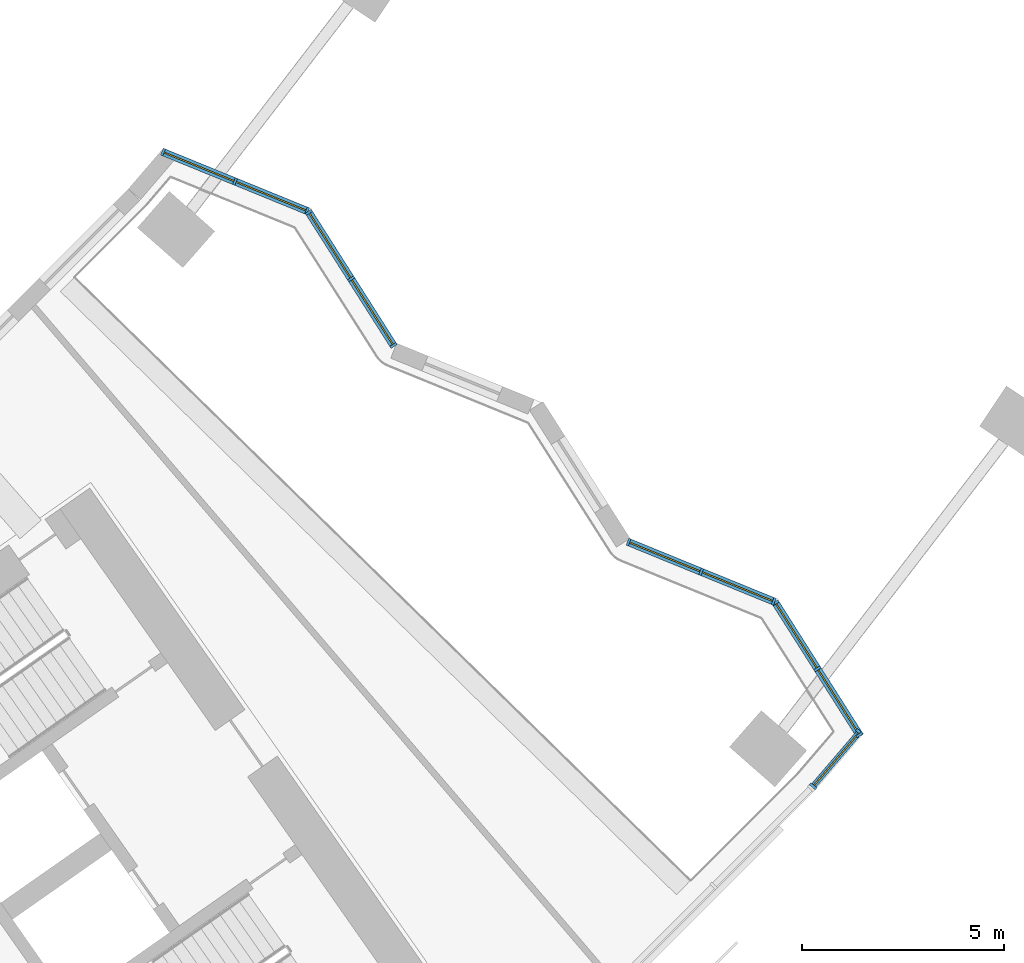
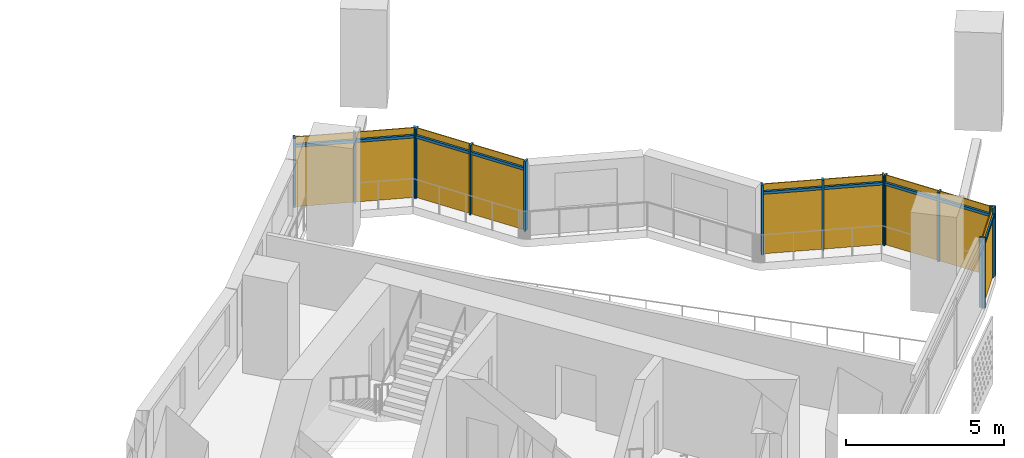
# One storey, part 23 of 30: 23 members, 5 curtain walls.
"""IFC4 building model written with IfcOpenShell, lengths in metres."""

from ifc_helpers import new_model, si_unit, direction, frame, origin, origin_2d, place, context, subcontext, project, spatial, rectangle, extrude, material, material_profile, profile_set, type_object, element, aggregate, save


model = new_model("IFC4")

# Units and contexts
model_context = context("Model", 3, precision=1e-05, world=origin(), true_north=direction((0.0, 1.0)))
body_context = subcontext(model_context, "Body", "Model", "MODEL_VIEW")
ifc_project = project(units=[si_unit("LENGTHUNIT", "METRE"), si_unit("AREAUNIT", "SQUARE_METRE"), si_unit("VOLUMEUNIT", "CUBIC_METRE"), si_unit("PLANEANGLEUNIT", "RADIAN"), si_unit("MASSUNIT", "GRAM", prefix="KILO")], contexts=[model_context])

# Member
ifc_material = material(Name="Aluminium 6063-T6 anodised", Category="aluminium")
ifc_material_profile_1 = material_profile(ifc_material, rectangle(XDim=0.179931640625, YDim=0.06005859375, at=origin_2d()))
ifc_profile_set_1 = profile_set([ifc_material_profile_1], Name="Aluminium 6063-T6 anodised")
member_type_1 = type_object("IfcMemberType", Name="Mullion 60 x 180 aluminium, garden", PredefinedType="MULLION", material=ifc_profile_set_1)
site_placement = place(None, origin())
building_placement = place(site_placement, origin())
storey_placement = place(building_placement, frame((0.0, 0.0, 98.699951171875)))
member_1_placement = place(storey_placement, frame((60.71484375, -50.92041015625, 0.0), z_axis=(0.0, 0.0, 1.0), x_axis=(-0.843879922173, -0.536532083806, 0.0)))
member_1 = element("IfcMember", 1, at=member_1_placement, type_object=member_type_1, Name="e-cw4-L21-capE0/M00", PredefinedType="MULLION", context=body_context, shape_type="SweptSolid", body=[
    extrude(rectangle(XDim=0.179931640625, YDim=0.06005859375, at=origin_2d()), origin(), (0.0, 0.0, 1.0), 2.699951171875),
])

member_2_placement = place(storey_placement, frame((59.676513671875, -49.287353515625, 0.0), z_axis=(0.0, 0.0, 1.0), x_axis=(-0.843879922173, -0.536532083806, 0.0)))
member_2 = element("IfcMember", 2, at=member_2_placement, type_object=member_type_1, Name="e-cw4-L21-capE0/M01", PredefinedType="MULLION", context=body_context, shape_type="SweptSolid", body=[
    extrude(rectangle(XDim=0.179931640625, YDim=0.06005859375, at=origin_2d()), origin(), (0.0, 0.0, 1.0), 2.699951171875),
])

member_3_placement = place(storey_placement, frame((58.63818359375, -47.654296875, 0.0), z_axis=(0.0, 0.0, 1.0), x_axis=(-0.843879922173, -0.536532083806, 0.0)))
member_3 = element("IfcMember", 3, at=member_3_placement, type_object=member_type_1, Name="e-cw4-L21-capE0/M02", PredefinedType="MULLION", context=body_context, shape_type="SweptSolid", body=[
    extrude(rectangle(XDim=0.179931640625, YDim=0.06005859375, at=origin_2d()), origin(), (0.0, 0.0, 1.0), 2.699951171875),
])

member_4_placement = place(storey_placement, frame((58.59423828125, -47.617431640625, 0.0), z_axis=(0.0, 0.0, 1.0), x_axis=(-0.378022209382, -0.925796526897, 0.0)))
member_4 = element("IfcMember", 4, at=member_4_placement, type_object=member_type_1, Name="e-cw4-L21-capE1/M00", PredefinedType="MULLION", context=body_context, shape_type="SweptSolid", body=[
    extrude(rectangle(XDim=0.179931640625, YDim=0.06005859375, at=origin_2d()), origin(), (0.0, 0.0, 1.0), 2.699951171875),
])

member_5_placement = place(storey_placement, frame((56.79638671875, -46.88330078125, 0.0), z_axis=(0.0, 0.0, 1.0), x_axis=(-0.378022209382, -0.925796526897, 0.0)))
member_5 = element("IfcMember", 5, at=member_5_placement, type_object=member_type_1, Name="e-cw4-L21-capE1/M01", PredefinedType="MULLION", context=body_context, shape_type="SweptSolid", body=[
    extrude(rectangle(XDim=0.179931640625, YDim=0.06005859375, at=origin_2d()), origin(), (0.0, 0.0, 1.0), 2.699951171875),
])

member_6_placement = place(storey_placement, frame((54.998291015625, -46.149169921875, 0.0), z_axis=(0.0, 0.0, 1.0), x_axis=(-0.378022209382, -0.925796526897, 0.0)))
member_6 = element("IfcMember", 6, at=member_6_placement, type_object=member_type_1, Name="e-cw4-L21-capE1/M02", PredefinedType="MULLION", context=body_context, shape_type="SweptSolid", body=[
    extrude(rectangle(XDim=0.179931640625, YDim=0.06005859375, at=origin_2d()), origin(), (0.0, 0.0, 1.0), 2.699951171875),
])

member_7_placement = place(storey_placement, frame((49.17724609375, -41.278076171875, 0.0), z_axis=(0.0, 0.0, 1.0), x_axis=(-0.843778920039, -0.536690911138, 0.0)))
member_7 = element("IfcMember", 7, at=member_7_placement, type_object=member_type_1, Name="e-cw4-L21-capE4/M00", PredefinedType="MULLION", context=body_context, shape_type="SweptSolid", body=[
    extrude(rectangle(XDim=0.179931640625, YDim=0.06005859375, at=origin_2d()), origin(), (0.0, 0.0, 1.0), 2.699951171875),
])

member_8_placement = place(storey_placement, frame((48.12939453125, -39.630615234375, 0.0), z_axis=(0.0, 0.0, 1.0), x_axis=(-0.843778920039, -0.536690911138, 0.0)))
member_8 = element("IfcMember", 8, at=member_8_placement, type_object=member_type_1, Name="e-cw4-L21-capE4/M01", PredefinedType="MULLION", context=body_context, shape_type="SweptSolid", body=[
    extrude(rectangle(XDim=0.179931640625, YDim=0.06005859375, at=origin_2d()), origin(), (0.0, 0.0, 1.0), 2.699951171875),
])

member_9_placement = place(storey_placement, frame((47.081787109375, -37.9833984375, 0.0), z_axis=(0.0, 0.0, 1.0), x_axis=(-0.843778920039, -0.536690911138, 0.0)))
member_9 = element("IfcMember", 9, at=member_9_placement, type_object=member_type_1, Name="e-cw4-L21-capE4/M02", PredefinedType="MULLION", context=body_context, shape_type="SweptSolid", body=[
    extrude(rectangle(XDim=0.179931640625, YDim=0.06005859375, at=origin_2d()), origin(), (0.0, 0.0, 1.0), 2.699951171875),
])

member_10_placement = place(storey_placement, frame((47.037841796875, -37.94677734375, 0.0), z_axis=(0.0, 0.0, 1.0), x_axis=(-0.377858828527, -0.92586322192, 0.0)))
member_10 = element("IfcMember", 10, at=member_10_placement, type_object=member_type_1, Name="e-cw4-L21-capE5/M00", PredefinedType="MULLION", context=body_context, shape_type="SweptSolid", body=[
    extrude(rectangle(XDim=0.179931640625, YDim=0.06005859375, at=origin_2d()), origin(), (0.0, 0.0, 1.0), 2.699951171875),
])

member_11_placement = place(storey_placement, frame((45.255615234375, -37.219482421875, 0.0), z_axis=(0.0, 0.0, 1.0), x_axis=(-0.377858828527, -0.92586322192, 0.0)))
member_11 = element("IfcMember", 11, at=member_11_placement, type_object=member_type_1, Name="e-cw4-L21-capE5/M01", PredefinedType="MULLION", context=body_context, shape_type="SweptSolid", body=[
    extrude(rectangle(XDim=0.179931640625, YDim=0.06005859375, at=origin_2d()), origin(), (0.0, 0.0, 1.0), 2.699951171875),
])

member_12_placement = place(storey_placement, frame((43.47314453125, -36.491943359375, 0.0), z_axis=(0.0, 0.0, 1.0), x_axis=(-0.377858828527, -0.92586322192, 0.0)))
member_12 = element("IfcMember", 12, at=member_12_placement, type_object=member_type_1, Name="e-cw4-L21-capE5/M02", PredefinedType="MULLION", context=body_context, shape_type="SweptSolid", body=[
    extrude(rectangle(XDim=0.179931640625, YDim=0.06005859375, at=origin_2d()), origin(), (0.0, 0.0, 1.0), 2.699951171875),
])

ifc_material_profile_2 = material_profile(ifc_material, rectangle(XDim=0.199951171875, YDim=0.070068359375, at=origin_2d()))
ifc_profile_set_2 = profile_set([ifc_material_profile_2], Name="Aluminium 6063-T6 anodised")
member_type_2 = type_object("IfcMemberType", Name="Mullion 70 x 200 aluminium", PredefinedType="MULLION", material=ifc_profile_set_2)
member_13_placement = place(storey_placement, frame((59.567626953125, -52.194580078125, 0.0), z_axis=(0.0, 0.0, 1.0), x_axis=(-0.759421145239, 0.650599357642, 0.0)))
member_13 = element("IfcMember", 13, at=member_13_placement, type_object=member_type_2, Name="e-cw1-L21-out16/M00", PredefinedType="MULLION", context=body_context, shape_type="SweptSolid", body=[
    extrude(rectangle(XDim=0.199951171875, YDim=0.070068359375, at=origin_2d()), origin(), (0.0, 0.0, 1.0), 2.699951171875),
])

member_14_placement = place(storey_placement, frame((60.716552734375, -50.853515625, 0.0), z_axis=(0.0, 0.0, 1.0), x_axis=(-0.759421145239, 0.650599357642, 0.0)))
member_14 = element("IfcMember", 14, at=member_14_placement, type_object=member_type_2, Name="e-cw1-L21-out16/M01", PredefinedType="MULLION", context=body_context, shape_type="SweptSolid", body=[
    extrude(rectangle(XDim=0.199951171875, YDim=0.070068359375, at=origin_2d()), origin(), (0.0, 0.0, 1.0), 2.699951171875),
])

ifc_material_profile_3 = material_profile(ifc_material, rectangle(XDim=0.179931640625, YDim=0.10009765625, at=origin_2d()))
ifc_profile_set_3 = profile_set([ifc_material_profile_3], Name="Aluminium 6063-T6 anodised")
member_type_3 = type_object("IfcMemberType", Name="Transom 100 x 180 aluminium, garden", PredefinedType="USERDEFINED", material=ifc_profile_set_3)
member_15_placement = place(storey_placement, frame((60.69873046875, -50.89501953125, 2.400146484375), z_axis=(-0.53651320803, 0.843891922944, 0.0), x_axis=(-0.843891922944, -0.53651320803, 0.0)))
member_15 = element("IfcMember", 15, at=member_15_placement, type_object=member_type_3, Name="e-cw4-L21-capE0/T00", ObjectType="TRANSOM", PredefinedType="USERDEFINED", context=body_context, shape_type="SweptSolid", body=[
    extrude(rectangle(XDim=0.179931640625, YDim=0.10009765625, at=origin_2d()), origin(), (0.0, 0.0, 1.0), 1.875244140625),
])

member_16_placement = place(storey_placement, frame((59.660400390625, -49.261962890625, 2.400146484375), z_axis=(-0.53651320803, 0.843891922944, 0.0), x_axis=(-0.843891922944, -0.53651320803, 0.0)))
member_16 = element("IfcMember", 16, at=member_16_placement, type_object=member_type_3, Name="e-cw4-L21-capE0/T01", ObjectType="TRANSOM", PredefinedType="USERDEFINED", context=body_context, shape_type="SweptSolid", body=[
    extrude(rectangle(XDim=0.179931640625, YDim=0.10009765625, at=origin_2d()), origin(), (0.0, 0.0, 1.0), 1.875244140625),
])

member_17_placement = place(storey_placement, frame((58.56640625, -47.606201171875, 2.400146484375), z_axis=(-0.925786492791, 0.37804678251, 0.0), x_axis=(-0.37804678251, -0.925786492791, 0.0)))
member_17 = element("IfcMember", 17, at=member_17_placement, type_object=member_type_3, Name="e-cw4-L21-capE1/T00", ObjectType="TRANSOM", PredefinedType="USERDEFINED", context=body_context, shape_type="SweptSolid", body=[
    extrude(rectangle(XDim=0.179931640625, YDim=0.10009765625, at=origin_2d()), origin(), (0.0, 0.0, 1.0), 1.8818359375),
])

member_18_placement = place(storey_placement, frame((56.7685546875, -46.8720703125, 2.400146484375), z_axis=(-0.925805031046, 0.378001381598, 0.0), x_axis=(-0.378001381598, -0.925805031046, 0.0)))
member_18 = element("IfcMember", 18, at=member_18_placement, type_object=member_type_3, Name="e-cw4-L21-capE1/T01", ObjectType="TRANSOM", PredefinedType="USERDEFINED", context=body_context, shape_type="SweptSolid", body=[
    extrude(rectangle(XDim=0.179931640625, YDim=0.10009765625, at=origin_2d()), origin(), (0.0, 0.0, 1.0), 1.882080078125),
])

member_19_placement = place(storey_placement, frame((49.1611328125, -41.252685546875, 2.400146484375), z_axis=(-0.536708519188, 0.843767720069, 0.0), x_axis=(-0.843767720069, -0.536708519188, 0.0)))
member_19 = element("IfcMember", 19, at=member_19_placement, type_object=member_type_3, Name="e-cw4-L21-capE4/T00", ObjectType="TRANSOM", PredefinedType="USERDEFINED", context=body_context, shape_type="SweptSolid", body=[
    extrude(rectangle(XDim=0.179931640625, YDim=0.10009765625, at=origin_2d()), origin(), (0.0, 0.0, 1.0), 1.892333984375),
])

member_20_placement = place(storey_placement, frame((48.11328125, -39.60546875, 2.400146484375), z_axis=(-0.536616657149, 0.843826145169, 0.0), x_axis=(-0.843826145169, -0.536616657149, 0.0)))
member_20 = element("IfcMember", 20, at=member_20_placement, type_object=member_type_3, Name="e-cw4-L21-capE4/T01", ObjectType="TRANSOM", PredefinedType="USERDEFINED", context=body_context, shape_type="SweptSolid", body=[
    extrude(rectangle(XDim=0.179931640625, YDim=0.10009765625, at=origin_2d()), origin(), (0.0, 0.0, 1.0), 1.89208984375),
])

member_21_placement = place(storey_placement, frame((47.010009765625, -37.935546875, 2.400146484375), z_axis=(-0.925844839704, 0.377903867132, 0.0), x_axis=(-0.377903867132, -0.925844839704, 0.0)))
member_21 = element("IfcMember", 21, at=member_21_placement, type_object=member_type_3, Name="e-cw4-L21-capE5/T00", ObjectType="TRANSOM", PredefinedType="USERDEFINED", context=body_context, shape_type="SweptSolid", body=[
    extrude(rectangle(XDim=0.179931640625, YDim=0.10009765625, at=origin_2d()), origin(), (0.0, 0.0, 1.0), 1.865234375),
])

member_22_placement = place(storey_placement, frame((45.227783203125, -37.2080078125, 2.400146484375), z_axis=(-0.92589063397, 0.377791654126, 0.0), x_axis=(-0.377791654126, -0.92589063397, 0.0)))
member_22 = element("IfcMember", 22, at=member_22_placement, type_object=member_type_3, Name="e-cw4-L21-capE5/T01", ObjectType="TRANSOM", PredefinedType="USERDEFINED", context=body_context, shape_type="SweptSolid", body=[
    extrude(rectangle(XDim=0.179931640625, YDim=0.10009765625, at=origin_2d()), origin(), (0.0, 0.0, 1.0), 1.864990234375),
])

ifc_material_profile_4 = material_profile(ifc_material, rectangle(XDim=0.139892578125, YDim=0.1201171875, at=origin_2d()))
ifc_profile_set_4 = profile_set([ifc_material_profile_4], Name="Aluminium 6063-T6 anodised")
member_type_4 = type_object("IfcMemberType", Name="Transom 120 x 140 aluminium", PredefinedType="USERDEFINED", material=ifc_profile_set_4)
member_23_placement = place(storey_placement, frame((59.590576171875, -52.16796875, 2.400146484375), z_axis=(0.65058979582, 0.759429336789, 0.0), x_axis=(-0.759429336789, 0.65058979582, 0.0)))
member_23 = element("IfcMember", 23, at=member_23_placement, type_object=member_type_4, Name="e-cw1-L21-out16/T00", ObjectType="TRANSOM", PredefinedType="USERDEFINED", context=body_context, shape_type="SweptSolid", body=[
    extrude(rectangle(XDim=0.139892578125, YDim=0.1201171875, at=origin_2d()), origin(), (0.0, 0.0, 1.0), 1.69580078125),
])

# Site, building, storey
site = spatial("IfcSite", under=ifc_project, at=site_placement, CompositionType="ELEMENT")
building = spatial("IfcBuilding", under=site, at=building_placement, Name="Qamariyya Broadcast Tower", CompositionType="ELEMENT")
storey = spatial("IfcBuildingStorey", under=building, at=storey_placement, Name="L21", CompositionType="ELEMENT", Elevation=98.699951171875)

# Curtain wall
curtain_wall_type_1 = type_object("IfcCurtainWallType", Name="Sky garden enclosure curtain wall", PredefinedType="NOTDEFINED", material=ifc_material)
curtain_wall_1_placement = place(storey_placement, origin())
curtain_wall_1 = element("IfcCurtainWall", 24, at=curtain_wall_1_placement, inside=storey, type_object=curtain_wall_type_1, Name="e-cw4-L21-capE0", PredefinedType="NOTDEFINED", context=body_context, shape_type="SweptSolid", body=[
    extrude(rectangle(XDim=1.875244140625, YDim=0.031982421875, at=origin_2d()), frame((60.19580078125, -50.103759765625, 0.0), x_axis=(-0.536565967643, 0.843858378146, 0.0)), (0.0, 0.0, 1.0), 2.35009765625),
    extrude(rectangle(XDim=1.875244140625, YDim=0.031982421875, at=origin_2d()), frame((60.19580078125, -50.103759765625, 2.449951171875), x_axis=(-0.536565967643, 0.843858378146, 0.0)), (0.0, 0.0, 1.0), 0.25),
    extrude(rectangle(XDim=1.875244140625, YDim=0.031982421875, at=origin_2d()), frame((59.1572265625, -48.470703125, 0.0), x_axis=(-0.536565967643, 0.843858378146, 0.0)), (0.0, 0.0, 1.0), 2.35009765625),
    extrude(rectangle(XDim=1.875244140625, YDim=0.031982421875, at=origin_2d()), frame((59.1572265625, -48.470703125, 2.449951171875), x_axis=(-0.536565967643, 0.843858378146, 0.0)), (0.0, 0.0, 1.0), 0.25),
])

aggregate(curtain_wall_1, [member_1, member_2, member_3, member_15, member_16])

curtain_wall_2_placement = place(storey_placement, origin())
curtain_wall_2 = element("IfcCurtainWall", 25, at=curtain_wall_2_placement, inside=storey, type_object=curtain_wall_type_1, Name="e-cw4-L21-capE1", PredefinedType="NOTDEFINED", context=body_context, shape_type="SweptSolid", body=[
    extrude(rectangle(XDim=1.882080078125, YDim=0.031982421875, at=origin_2d()), frame((57.6953125, -47.25048828125, 0.0), x_axis=(-0.925793268968, 0.378030188124, 0.0)), (0.0, 0.0, 1.0), 2.35009765625),
    extrude(rectangle(XDim=1.882080078125, YDim=0.031982421875, at=origin_2d()), frame((57.6953125, -47.25048828125, 2.449951171875), x_axis=(-0.925793268968, 0.378030188124, 0.0)), (0.0, 0.0, 1.0), 0.25),
    extrude(rectangle(XDim=1.882080078125, YDim=0.031982421875, at=origin_2d()), frame((55.8974609375, -46.516357421875, 0.0), x_axis=(-0.925793268968, 0.378030188124, 0.0)), (0.0, 0.0, 1.0), 2.35009765625),
    extrude(rectangle(XDim=1.882080078125, YDim=0.031982421875, at=origin_2d()), frame((55.8974609375, -46.516357421875, 2.449951171875), x_axis=(-0.925793268968, 0.378030188124, 0.0)), (0.0, 0.0, 1.0), 0.25),
])

aggregate(curtain_wall_2, [member_4, member_5, member_6, member_17, member_18])

curtain_wall_3_placement = place(storey_placement, origin())
curtain_wall_3 = element("IfcCurtainWall", 26, at=curtain_wall_3_placement, inside=storey, type_object=curtain_wall_type_1, Name="e-cw4-L21-capE4", PredefinedType="NOTDEFINED", context=body_context, shape_type="SweptSolid", body=[
    extrude(rectangle(XDim=1.892333984375, YDim=0.031982421875, at=origin_2d()), frame((48.6533203125, -40.454345703125, 0.0), x_axis=(-0.536680229162, 0.843785714282, 0.0)), (0.0, 0.0, 1.0), 2.35009765625),
    extrude(rectangle(XDim=1.892333984375, YDim=0.031982421875, at=origin_2d()), frame((48.6533203125, -40.454345703125, 2.449951171875), x_axis=(-0.536680229162, 0.843785714282, 0.0)), (0.0, 0.0, 1.0), 0.25),
    extrude(rectangle(XDim=1.892333984375, YDim=0.031982421875, at=origin_2d()), frame((47.605712890625, -38.806884765625, 0.0), x_axis=(-0.536680229162, 0.843785714282, 0.0)), (0.0, 0.0, 1.0), 2.35009765625),
    extrude(rectangle(XDim=1.892333984375, YDim=0.031982421875, at=origin_2d()), frame((47.605712890625, -38.806884765625, 2.449951171875), x_axis=(-0.536680229162, 0.843785714282, 0.0)), (0.0, 0.0, 1.0), 0.25),
])

aggregate(curtain_wall_3, [member_7, member_8, member_9, member_19, member_20])

curtain_wall_4_placement = place(storey_placement, origin())
curtain_wall_4 = element("IfcCurtainWall", 27, at=curtain_wall_4_placement, inside=storey, type_object=curtain_wall_type_1, Name="e-cw4-L21-capE5", PredefinedType="NOTDEFINED", context=body_context, shape_type="SweptSolid", body=[
    extrude(rectangle(XDim=1.864990234375, YDim=0.031982421875, at=origin_2d()), frame((46.146728515625, -37.5830078125, 0.0), x_axis=(-0.925874838011, 0.3778303645, 0.0)), (0.0, 0.0, 1.0), 2.35009765625),
    extrude(rectangle(XDim=1.864990234375, YDim=0.031982421875, at=origin_2d()), frame((46.146728515625, -37.5830078125, 2.449951171875), x_axis=(-0.925874838011, 0.3778303645, 0.0)), (0.0, 0.0, 1.0), 0.25),
    extrude(rectangle(XDim=1.864990234375, YDim=0.031982421875, at=origin_2d()), frame((44.364501953125, -36.855712890625, 0.0), x_axis=(-0.925874838011, 0.3778303645, 0.0)), (0.0, 0.0, 1.0), 2.35009765625),
    extrude(rectangle(XDim=1.864990234375, YDim=0.031982421875, at=origin_2d()), frame((44.364501953125, -36.855712890625, 2.449951171875), x_axis=(-0.925874838011, 0.3778303645, 0.0)), (0.0, 0.0, 1.0), 0.25),
])

aggregate(curtain_wall_4, [member_10, member_11, member_12, member_21, member_22])

curtain_wall_type_2 = type_object("IfcCurtainWallType", Name="Unitised curtain wall, anodised aluminium", PredefinedType="NOTDEFINED", material=ifc_material)
curtain_wall_5_placement = place(storey_placement, origin())
curtain_wall_5 = element("IfcCurtainWall", 28, at=curtain_wall_5_placement, inside=storey, type_object=curtain_wall_type_2, Name="e-cw1-L21-out16", PredefinedType="NOTDEFINED", context=body_context, shape_type="SweptSolid", body=[
    extrude(rectangle(XDim=1.69580078125, YDim=0.031982421875, at=origin_2d()), frame((60.14208984375, -51.52392578125, 0.0), x_axis=(0.650616114419, 0.759406789316, 0.0)), (0.0, 0.0, 1.0), 2.340087890625),
    extrude(rectangle(XDim=1.69580078125, YDim=0.031982421875, at=origin_2d()), frame((60.14208984375, -51.52392578125, 2.4599609375), x_axis=(0.650616114419, 0.759406789316, 0.0)), (0.0, 0.0, 1.0), 0.239990234375),
])

aggregate(curtain_wall_5, [member_13, member_14, member_23])

save(model, "model.ifc")
